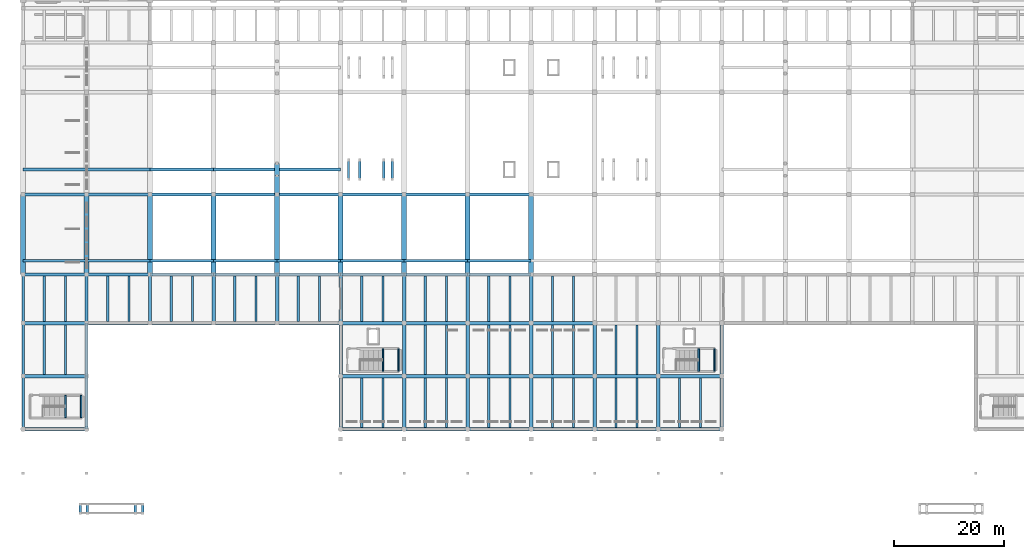
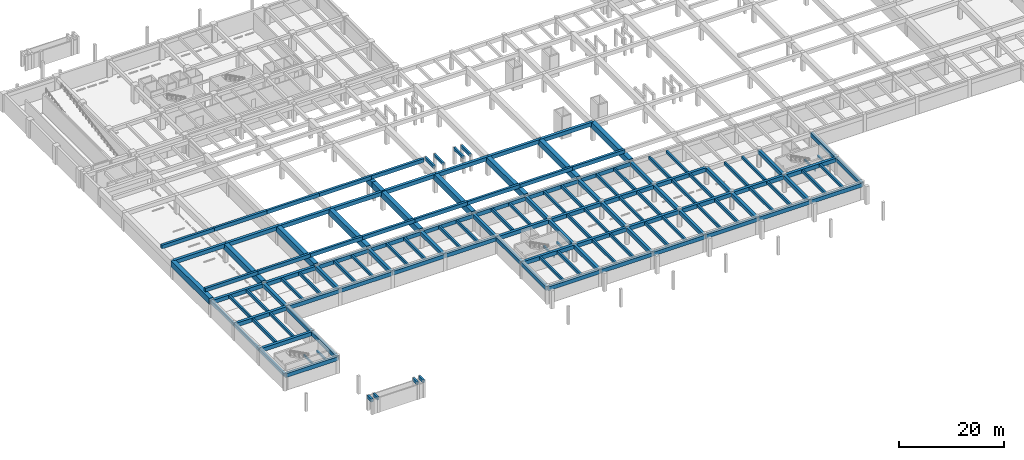
# One storey, part 4 of 20: 144 beams.
"""IFC4 building model written with IfcOpenShell, lengths in metres."""

from ifc_helpers import new_model, si_unit, direction, frame, origin, origin_2d, place, context, subcontext, project, spatial, rectangle, extrude, material, material_profile, profile_set, type_object, element, save


model = new_model("IFC4")

# Units and contexts
model_context = context("Model", 3, precision=1e-05, world=origin(), true_north=direction((0.0, 1.0)))
body_context = subcontext(model_context, "Body", "Model", "MODEL_VIEW")
ifc_project = project(units=[si_unit("LENGTHUNIT", "METRE"), si_unit("AREAUNIT", "SQUARE_METRE"), si_unit("VOLUMEUNIT", "CUBIC_METRE"), si_unit("PLANEANGLEUNIT", "RADIAN"), si_unit("MASSUNIT", "GRAM", prefix="KILO")], contexts=[model_context])

# Site, building, storey
site_placement = place(None, origin())
site = spatial("IfcSite", under=ifc_project, at=site_placement, CompositionType="ELEMENT")
building_placement = place(site_placement, origin())
building = spatial("IfcBuilding", under=site, at=building_placement, Name="Ologun Quay Terminus", CompositionType="ELEMENT")
storey_placement = place(building_placement, frame((0.0, 0.0, -4.199951171875)))
storey = spatial("IfcBuildingStorey", under=building, at=storey_placement, Name="B01", CompositionType="ELEMENT", Elevation=-4.199951171875)

# Beams
ifc_material_1 = material(Name="Concrete C40/50", Category="concrete")
ifc_material_profile_1 = material_profile(ifc_material_1, rectangle(XDim=0.300048828125, YDim=0.449951171875, at=origin_2d()), Name="RC 300x450")
ifc_profile_set_1 = profile_set([ifc_material_profile_1], Name="Concrete C40/50")
beam_type_1 = type_object("IfcBeamType", Name="Core Coupling Lintel Beam 300x450", PredefinedType="LINTEL", material=ifc_profile_set_1)
for number, where, z_axis, x_axis, name in (
    (1, (7.68994140625, 10.080078125, 1.695068359375), (0.0, 1.0, 0.0), (-1.0, 0.0, 0.0), "LN1 Half-Landing Ledger Beam ST-S1-W B01"),
    (2, (10.510009765625, 10.080078125, 1.695068359375), (0.0, 1.0, 0.0), (-1.0, 0.0, 0.0), "LN1 Half-Landing Ledger Beam ST-S1-E B01"),
    (3, (65.139892578125, 18.47998046875, 1.695068359375), (0.0, 1.0, 0.0), (-1.0, 0.0, 0.0), "LN1 Half-Landing Ledger Beam ST-S3-W B01"),
    (4, (67.9599609375, 18.47998046875, 1.695068359375), (0.0, 1.0, 0.0), (-1.0, 0.0, 0.0), "LN1 Half-Landing Ledger Beam ST-S3-E B01"),
    (5, (122.340087890625, 18.47998046875, 1.695068359375), (0.0, 1.0, 0.0), (-1.0, 0.0, 0.0), "LN1 Half-Landing Ledger Beam ST-S4-W B01"),
    (6, (125.159912109375, 18.47998046875, 1.695068359375), (0.0, 1.0, 0.0), (-1.0, 0.0, 0.0), "LN1 Half-Landing Ledger Beam ST-S4-E B01"),
):
    element("IfcBeam", number, at=place(storey_placement, frame(where, z_axis=z_axis, x_axis=x_axis)), inside=storey, type_object=beam_type_1, Name=name, PredefinedType="LINTEL", context=body_context, shape_type="SweptSolid", body=[
        extrude(rectangle(XDim=0.300048828125, YDim=0.449951171875, at=origin_2d()), origin(), (0.0, 0.0, 1.0), 4.0400390625),
    ])
ifc_material_2 = material(Name="Concrete C45/55", Category="concrete")
ifc_material_profile_2 = material_profile(ifc_material_2, rectangle(XDim=0.89990234375, YDim=1.39990234375, at=origin_2d()), Name="RC 900x1400")
ifc_profile_set_2 = profile_set([ifc_material_profile_2], Name="Concrete C45/55")
beam_type_2 = type_object("IfcBeamType", Name="Heavy Track Deck Girder 900x1400", PredefinedType="BEAM", material=ifc_profile_set_2)
for number, where, z_axis, x_axis, name in (
    (7, (0.0, 36.0, 3.64990234375), (0.0, 1.0, 0.0), (-1.0, 0.0, 0.0), "B1 Beam 1/E B01"),
    (8, (11.5, 36.0, 3.64990234375), (0.0, 1.0, 0.0), (-1.0, 0.0, 0.0), "B1 Beam 2/E B01"),
    (9, (23.0, 36.0, 3.64990234375), (0.0, 1.0, 0.0), (-1.0, 0.0, 0.0), "B1 Beam 3/E B01"),
    (10, (34.5, 36.0, 3.64990234375), (0.0, 1.0, 0.0), (-1.0, 0.0, 0.0), "B1 Beam 4/E B01"),
    (11, (46.0, 36.0, 3.64990234375), (0.0, 1.0, 0.0), (-1.0, 0.0, 0.0), "B1 Beam 5/E B01"),
):
    element("IfcBeam", number, at=place(storey_placement, frame(where, z_axis=z_axis, x_axis=x_axis)), inside=storey, type_object=beam_type_2, Name=name, PredefinedType="BEAM", context=body_context, shape_type="SweptSolid", body=[
        extrude(rectangle(XDim=0.89990234375, YDim=1.39990234375, at=origin_2d()), origin(), (0.0, 0.0, 1.0), 14.5),
    ])
beam_1_placement = place(storey_placement, frame((46.0, 50.5, 3.64990234375), z_axis=(0.0, 1.0, 0.0), x_axis=(-1.0, 0.0, 0.0)))
element("IfcBeam", 12, at=beam_1_placement, inside=storey, type_object=beam_type_2, Name="B1 Beam 5/E B01", PredefinedType="BEAM", context=body_context, shape_type="SweptSolid", body=[
    extrude(rectangle(XDim=0.89990234375, YDim=1.39990234375, at=origin_2d()), origin(), (0.0, 0.0, 1.0), 3.39990234375),
])
beam_2_placement = place(storey_placement, frame((46.0, 53.89990234375, 3.64990234375), z_axis=(0.0, 1.0, 0.0), x_axis=(-1.0, 0.0, 0.0)))
element("IfcBeam", 13, at=beam_2_placement, inside=storey, type_object=beam_type_2, Name="B1 Beam 5/E B01", PredefinedType="BEAM", context=body_context, shape_type="SweptSolid", body=[
    extrude(rectangle(XDim=0.89990234375, YDim=1.39990234375, at=origin_2d()), origin(), (0.0, 0.0, 1.0), 2.2001953125),
])
for number, where, z_axis, x_axis, name in (
    (14, (57.5, 36.0, 3.64990234375), (0.0, 1.0, 0.0), (-1.0, 0.0, 0.0), "B1 Beam 6/E B01"),
    (15, (69.0, 36.0, 3.64990234375), (0.0, 1.0, 0.0), (-1.0, 0.0, 0.0), "B1 Beam 7/E B01"),
    (16, (80.5, 36.0, 3.64990234375), (0.0, 1.0, 0.0), (-1.0, 0.0, 0.0), "B1 Beam 8/E B01"),
    (17, (92.0, 36.0, 3.64990234375), (0.0, 1.0, 0.0), (-1.0, 0.0, 0.0), "B1 Beam 9/E B01"),
):
    element("IfcBeam", number, at=place(storey_placement, frame(where, z_axis=z_axis, x_axis=x_axis)), inside=storey, type_object=beam_type_2, Name=name, PredefinedType="BEAM", context=body_context, shape_type="SweptSolid", body=[
        extrude(rectangle(XDim=0.89990234375, YDim=1.39990234375, at=origin_2d()), origin(), (0.0, 0.0, 1.0), 14.5),
    ])
ifc_material_3 = material(Name="Concrete C40/50", Category="concrete")
ifc_material_profile_3 = material_profile(ifc_material_3, rectangle(XDim=0.449951171875, YDim=0.699951171875, at=origin_2d()), Name="RC 450x700")
ifc_profile_set_3 = profile_set([ifc_material_profile_3], Name="Concrete C40/50")
beam_type_3 = type_object("IfcBeamType", Name="Perimeter Spandrel Beam 450x700", PredefinedType="SPANDREL", material=ifc_profile_set_3)
for number, where, z_axis, x_axis, name in (
    (18, (10.35009765625, -7.199951171875, 3.1298828125), (0.0, 1.0, 0.0), (-1.0, 0.0, 0.0), "SP1 Ramp Header Beam 5W"),
    (19, (11.64990234375, -7.199951171875, 3.1298828125), (0.0, 1.0, 0.0), (-1.0, 0.0, 0.0), "SP1 Ramp Header Beam 5E"),
    (20, (20.35009765625, -7.199951171875, 3.6298828125), (0.0, 1.0, 0.0), (-1.0, 0.0, 0.0), "SP1 Ramp Header Beam 6W"),
    (21, (21.64990234375, -7.199951171875, 3.6298828125), (0.0, 1.0, 0.0), (-1.0, 0.0, 0.0), "SP1 Ramp Header Beam 6E"),
):
    element("IfcBeam", number, at=place(storey_placement, frame(where, z_axis=z_axis, x_axis=x_axis)), inside=storey, type_object=beam_type_3, Name=name, PredefinedType="SPANDREL", context=body_context, shape_type="SweptSolid", body=[
        extrude(rectangle(XDim=0.449951171875, YDim=0.699951171875, at=origin_2d()), origin(), (0.0, 0.0, 1.0), 1.599853515625),
    ])
beam_3_placement = place(storey_placement, frame((0.0, 8.0, 3.530029296875), z_axis=(0.0, 1.0, 0.0), x_axis=(-1.0, 0.0, 0.0)))
element("IfcBeam", 22, at=beam_3_placement, inside=storey, type_object=beam_type_3, Name="SP1 Beam 1/B B01", PredefinedType="SPANDREL", context=body_context, shape_type="SweptSolid", body=[
    extrude(rectangle(XDim=0.449951171875, YDim=0.699951171875, at=origin_2d()), origin(), (0.0, 0.0, 1.0), 9.60009765625),
])
beam_4_placement = place(storey_placement, frame((0.0, 17.60009765625, 3.530029296875), z_axis=(0.0, 1.0, 0.0), x_axis=(-1.0, 0.0, 0.0)))
element("IfcBeam", 23, at=beam_4_placement, inside=storey, type_object=beam_type_3, Name="SP1 Beam 1/C B01", PredefinedType="SPANDREL", context=body_context, shape_type="SweptSolid", body=[
    extrude(rectangle(XDim=0.449951171875, YDim=0.699951171875, at=origin_2d()), origin(), (0.0, 0.0, 1.0), 9.599853515625),
])
beam_5_placement = place(storey_placement, frame((0.0, 27.199951171875, 3.530029296875), z_axis=(0.0, 1.0, 0.0), x_axis=(-1.0, 0.0, 0.0)))
element("IfcBeam", 24, at=beam_5_placement, inside=storey, type_object=beam_type_3, Name="SP1 Beam 1/D B01", PredefinedType="SPANDREL", context=body_context, shape_type="SweptSolid", body=[
    extrude(rectangle(XDim=0.449951171875, YDim=0.699951171875, at=origin_2d()), origin(), (0.0, 0.0, 1.0), 8.800048828125),
])
ifc_material_4 = material(Name="Concrete C40/50", Category="concrete")
ifc_material_profile_4 = material_profile(ifc_material_4, rectangle(XDim=0.5, YDim=0.85009765625, at=origin_2d()), Name="RC 500x850")
ifc_profile_set_4 = profile_set([ifc_material_profile_4], Name="Concrete C40/50")
beam_type_4 = type_object("IfcBeamType", Name="Platform Ribbed T-Beam 500x850", PredefinedType="T_BEAM", material=ifc_profile_set_4)
for number, where, z_axis, x_axis, name in (
    (25, (0.0, 38.5, 4.724853515625), (1.0, 0.0, 0.0), (0.0, 1.0, 0.0), "TB1 Beam 1/E B01"),
    (26, (0.0, 55.0, 4.724853515625), (1.0, 0.0, 0.0), (0.0, 1.0, 0.0), "TB1 Beam 1/E B01"),
    (27, (11.5, 38.5, 4.724853515625), (1.0, 0.0, 0.0), (0.0, 1.0, 0.0), "TB1 Beam 2/E B01"),
    (28, (11.5, 55.0, 4.724853515625), (1.0, 0.0, 0.0), (0.0, 1.0, 0.0), "TB1 Beam 2/E B01"),
    (29, (23.0, 38.5, 4.724853515625), (1.0, 0.0, 0.0), (0.0, 1.0, 0.0), "TB1 Beam 3/E B01"),
    (30, (23.0, 55.0, 4.724853515625), (1.0, 0.0, 0.0), (0.0, 1.0, 0.0), "TB1 Beam 3/E B01"),
    (31, (34.5, 38.5, 4.724853515625), (1.0, 0.0, 0.0), (0.0, 1.0, 0.0), "TB1 Beam 4/E B01"),
    (32, (34.5, 55.0, 4.724853515625), (1.0, 0.0, 0.0), (0.0, 1.0, 0.0), "TB1 Beam 4/E B01"),
    (33, (46.0, 38.5, 4.724853515625), (1.0, 0.0, 0.0), (0.0, 1.0, 0.0), "TB1 Beam 5/E B01"),
    (34, (46.0, 55.0, 4.724853515625), (1.0, 0.0, 0.0), (0.0, 1.0, 0.0), "TB1 Beam 5/E B01"),
    (35, (57.5, 38.5, 4.724853515625), (1.0, 0.0, 0.0), (0.0, 1.0, 0.0), "TB1 Beam 6/E B01"),
    (36, (69.0, 38.5, 4.724853515625), (1.0, 0.0, 0.0), (0.0, 1.0, 0.0), "TB1 Beam 7/E B01"),
    (37, (80.5, 38.5, 4.724853515625), (1.0, 0.0, 0.0), (0.0, 1.0, 0.0), "TB1 Beam 8/E B01"),
):
    element("IfcBeam", number, at=place(storey_placement, frame(where, z_axis=z_axis, x_axis=x_axis)), inside=storey, type_object=beam_type_4, Name=name, PredefinedType="T_BEAM", context=body_context, shape_type="SweptSolid", body=[
        extrude(rectangle(XDim=0.5, YDim=0.85009765625, at=origin_2d()), origin(), (0.0, 0.0, 1.0), 11.5),
    ])
ifc_material_5 = material(Name="Concrete C40/50", Category="concrete")
ifc_material_profile_5 = material_profile(ifc_material_5, rectangle(XDim=0.60009765625, YDim=0.89990234375, at=origin_2d()), Name="RC 600x900")
ifc_profile_set_5 = profile_set([ifc_material_profile_5], Name="Concrete C40/50")
beam_type_5 = type_object("IfcBeamType", Name="Station Frame Girder 600x900", PredefinedType="BEAM", material=ifc_profile_set_5)
for number, where, z_axis, x_axis, name in (
    (38, (0.0, 8.0, 3.429931640625), (1.0, 0.0, 0.0), (0.0, 1.0, 0.0), "B3 Beam 1/B B01"),
    (39, (57.5, 8.0, 3.429931640625), (1.0, 0.0, 0.0), (0.0, 1.0, 0.0), "B3 Beam 6/B B01"),
    (40, (69.0, 8.0, 3.429931640625), (1.0, 0.0, 0.0), (0.0, 1.0, 0.0), "B3 Beam 7/B B01"),
    (41, (80.5, 8.0, 3.429931640625), (1.0, 0.0, 0.0), (0.0, 1.0, 0.0), "B3 Beam 8/B B01"),
    (42, (92.0, 8.0, 3.429931640625), (1.0, 0.0, 0.0), (0.0, 1.0, 0.0), "B3 Beam 9/B B01"),
    (43, (103.5, 8.0, 3.429931640625), (1.0, 0.0, 0.0), (0.0, 1.0, 0.0), "B3 Beam 10/B B01"),
    (44, (115.0, 8.0, 3.429931640625), (1.0, 0.0, 0.0), (0.0, 1.0, 0.0), "B3 Beam 11/B B01"),
    (45, (0.0, 17.60009765625, 3.429931640625), (1.0, 0.0, 0.0), (0.0, 1.0, 0.0), "B3 Beam 1/C B01"),
    (46, (57.5, 17.60009765625, 3.429931640625), (1.0, 0.0, 0.0), (0.0, 1.0, 0.0), "B3 Beam 6/C B01"),
    (47, (69.0, 17.60009765625, 3.429931640625), (1.0, 0.0, 0.0), (0.0, 1.0, 0.0), "B3 Beam 7/C B01"),
    (48, (80.5, 17.60009765625, 3.429931640625), (1.0, 0.0, 0.0), (0.0, 1.0, 0.0), "B3 Beam 8/C B01"),
    (49, (92.0, 17.60009765625, 3.429931640625), (1.0, 0.0, 0.0), (0.0, 1.0, 0.0), "B3 Beam 9/C B01"),
    (50, (103.5, 17.60009765625, 3.429931640625), (1.0, 0.0, 0.0), (0.0, 1.0, 0.0), "B3 Beam 10/C B01"),
    (51, (115.0, 17.60009765625, 3.429931640625), (1.0, 0.0, 0.0), (0.0, 1.0, 0.0), "B3 Beam 11/C B01"),
    (52, (0.0, 27.199951171875, 3.429931640625), (1.0, 0.0, 0.0), (0.0, 1.0, 0.0), "B3 Beam 1/D B01"),
    (53, (11.5, 27.199951171875, 3.429931640625), (1.0, 0.0, 0.0), (0.0, 1.0, 0.0), "B3 Beam 2/D B01"),
    (54, (23.0, 27.199951171875, 3.429931640625), (1.0, 0.0, 0.0), (0.0, 1.0, 0.0), "B3 Beam 3/D B01"),
    (55, (34.5, 27.199951171875, 3.429931640625), (1.0, 0.0, 0.0), (0.0, 1.0, 0.0), "B3 Beam 4/D B01"),
    (56, (46.0, 27.199951171875, 3.429931640625), (1.0, 0.0, 0.0), (0.0, 1.0, 0.0), "B3 Beam 5/D B01"),
    (57, (57.5, 27.199951171875, 3.429931640625), (1.0, 0.0, 0.0), (0.0, 1.0, 0.0), "B3 Beam 6/D B01"),
    (58, (69.0, 27.199951171875, 3.429931640625), (1.0, 0.0, 0.0), (0.0, 1.0, 0.0), "B3 Beam 7/D B01"),
    (59, (80.5, 27.199951171875, 3.429931640625), (1.0, 0.0, 0.0), (0.0, 1.0, 0.0), "B3 Beam 8/D B01"),
    (60, (92.0, 27.199951171875, 3.429931640625), (1.0, 0.0, 0.0), (0.0, 1.0, 0.0), "B3 Beam 9/D B01"),
    (61, (0.0, 36.0, 3.429931640625), (1.0, 0.0, 0.0), (0.0, 1.0, 0.0), "B3 Beam 1/E B01"),
    (62, (11.5, 36.0, 3.429931640625), (1.0, 0.0, 0.0), (0.0, 1.0, 0.0), "B3 Beam 2/E B01"),
    (63, (23.0, 36.0, 3.429931640625), (1.0, 0.0, 0.0), (0.0, 1.0, 0.0), "B3 Beam 3/E B01"),
    (64, (34.5, 36.0, 3.429931640625), (1.0, 0.0, 0.0), (0.0, 1.0, 0.0), "B3 Beam 4/E B01"),
    (65, (46.0, 36.0, 3.429931640625), (1.0, 0.0, 0.0), (0.0, 1.0, 0.0), "B3 Beam 5/E B01"),
    (66, (57.5, 36.0, 3.429931640625), (1.0, 0.0, 0.0), (0.0, 1.0, 0.0), "B3 Beam 6/E B01"),
    (67, (69.0, 36.0, 3.429931640625), (1.0, 0.0, 0.0), (0.0, 1.0, 0.0), "B3 Beam 7/E B01"),
    (68, (80.5, 36.0, 3.429931640625), (1.0, 0.0, 0.0), (0.0, 1.0, 0.0), "B3 Beam 8/E B01"),
    (69, (0.0, 50.5, 3.89990234375), (1.0, 0.0, 0.0), (0.0, 1.0, 0.0), "B3 Beam 1/E B01"),
    (70, (11.5, 50.5, 3.89990234375), (1.0, 0.0, 0.0), (0.0, 1.0, 0.0), "B3 Beam 2/E B01"),
    (71, (23.0, 50.5, 3.89990234375), (1.0, 0.0, 0.0), (0.0, 1.0, 0.0), "B3 Beam 3/E B01"),
    (72, (34.5, 50.5, 3.89990234375), (1.0, 0.0, 0.0), (0.0, 1.0, 0.0), "B3 Beam 4/E B01"),
    (73, (46.0, 50.5, 3.89990234375), (1.0, 0.0, 0.0), (0.0, 1.0, 0.0), "B3 Beam 5/E B01"),
    (74, (57.5, 50.5, 3.89990234375), (1.0, 0.0, 0.0), (0.0, 1.0, 0.0), "B3 Beam 6/E B01"),
    (75, (69.0, 50.5, 3.89990234375), (1.0, 0.0, 0.0), (0.0, 1.0, 0.0), "B3 Beam 7/E B01"),
    (76, (80.5, 50.5, 3.89990234375), (1.0, 0.0, 0.0), (0.0, 1.0, 0.0), "B3 Beam 8/E B01"),
):
    element("IfcBeam", number, at=place(storey_placement, frame(where, z_axis=z_axis, x_axis=x_axis)), inside=storey, type_object=beam_type_5, Name=name, PredefinedType="BEAM", context=body_context, shape_type="SweptSolid", body=[
        extrude(rectangle(XDim=0.60009765625, YDim=0.89990234375, at=origin_2d()), origin(), (0.0, 0.0, 1.0), 11.5),
    ])
beam_6_placement = place(storey_placement, frame((11.5, 8.0, 3.429931640625), z_axis=(0.0, 1.0, 0.0), x_axis=(-1.0, 0.0, 0.0)))
element("IfcBeam", 77, at=beam_6_placement, inside=storey, type_object=beam_type_5, Name="B3 Beam 2/B B01", PredefinedType="BEAM", context=body_context, shape_type="SweptSolid", body=[
    extrude(rectangle(XDim=0.60009765625, YDim=0.89990234375, at=origin_2d()), origin(), (0.0, 0.0, 1.0), 9.60009765625),
])
beam_7_placement = place(storey_placement, frame((11.5, 17.60009765625, 3.429931640625), z_axis=(0.0, 1.0, 0.0), x_axis=(-1.0, 0.0, 0.0)))
element("IfcBeam", 78, at=beam_7_placement, inside=storey, type_object=beam_type_5, Name="B3 Beam 2/C B01", PredefinedType="BEAM", context=body_context, shape_type="SweptSolid", body=[
    extrude(rectangle(XDim=0.60009765625, YDim=0.89990234375, at=origin_2d()), origin(), (0.0, 0.0, 1.0), 9.599853515625),
])
for number, where, z_axis, x_axis, name in (
    (79, (11.5, 27.199951171875, 3.429931640625), (0.0, 1.0, 0.0), (-1.0, 0.0, 0.0), "B3 Beam 2/D B01"),
    (80, (23.0, 27.199951171875, 3.429931640625), (0.0, 1.0, 0.0), (-1.0, 0.0, 0.0), "B3 Beam 3/D B01"),
    (81, (34.5, 27.199951171875, 3.429931640625), (0.0, 1.0, 0.0), (-1.0, 0.0, 0.0), "B3 Beam 4/D B01"),
    (82, (46.0, 27.199951171875, 3.429931640625), (0.0, 1.0, 0.0), (-1.0, 0.0, 0.0), "B3 Beam 5/D B01"),
):
    element("IfcBeam", number, at=place(storey_placement, frame(where, z_axis=z_axis, x_axis=x_axis)), inside=storey, type_object=beam_type_5, Name=name, PredefinedType="BEAM", context=body_context, shape_type="SweptSolid", body=[
        extrude(rectangle(XDim=0.60009765625, YDim=0.89990234375, at=origin_2d()), origin(), (0.0, 0.0, 1.0), 8.800048828125),
    ])
beam_8_placement = place(storey_placement, frame((57.5, 8.0, 3.429931640625), z_axis=(0.0, 1.0, 0.0), x_axis=(-1.0, 0.0, 0.0)))
element("IfcBeam", 83, at=beam_8_placement, inside=storey, type_object=beam_type_5, Name="B3 Beam 6/B B01", PredefinedType="BEAM", context=body_context, shape_type="SweptSolid", body=[
    extrude(rectangle(XDim=0.60009765625, YDim=0.89990234375, at=origin_2d()), origin(), (0.0, 0.0, 1.0), 9.60009765625),
])
beam_9_placement = place(storey_placement, frame((57.5, 17.60009765625, 3.429931640625), z_axis=(0.0, 1.0, 0.0), x_axis=(-1.0, 0.0, 0.0)))
element("IfcBeam", 84, at=beam_9_placement, inside=storey, type_object=beam_type_5, Name="B3 Beam 6/C B01", PredefinedType="BEAM", context=body_context, shape_type="SweptSolid", body=[
    extrude(rectangle(XDim=0.60009765625, YDim=0.89990234375, at=origin_2d()), origin(), (0.0, 0.0, 1.0), 9.599853515625),
])
beam_10_placement = place(storey_placement, frame((57.5, 27.199951171875, 3.429931640625), z_axis=(0.0, 1.0, 0.0), x_axis=(-1.0, 0.0, 0.0)))
element("IfcBeam", 85, at=beam_10_placement, inside=storey, type_object=beam_type_5, Name="B3 Beam 6/D B01", PredefinedType="BEAM", context=body_context, shape_type="SweptSolid", body=[
    extrude(rectangle(XDim=0.60009765625, YDim=0.89990234375, at=origin_2d()), origin(), (0.0, 0.0, 1.0), 8.800048828125),
])
beam_11_placement = place(storey_placement, frame((69.0, 8.0, 3.429931640625), z_axis=(0.0, 1.0, 0.0), x_axis=(-1.0, 0.0, 0.0)))
element("IfcBeam", 86, at=beam_11_placement, inside=storey, type_object=beam_type_5, Name="B3 Beam 7/B B01", PredefinedType="BEAM", context=body_context, shape_type="SweptSolid", body=[
    extrude(rectangle(XDim=0.60009765625, YDim=0.89990234375, at=origin_2d()), origin(), (0.0, 0.0, 1.0), 9.60009765625),
])
beam_12_placement = place(storey_placement, frame((69.0, 17.60009765625, 3.429931640625), z_axis=(0.0, 1.0, 0.0), x_axis=(-1.0, 0.0, 0.0)))
element("IfcBeam", 87, at=beam_12_placement, inside=storey, type_object=beam_type_5, Name="B3 Beam 7/C B01", PredefinedType="BEAM", context=body_context, shape_type="SweptSolid", body=[
    extrude(rectangle(XDim=0.60009765625, YDim=0.89990234375, at=origin_2d()), origin(), (0.0, 0.0, 1.0), 9.599853515625),
])
beam_13_placement = place(storey_placement, frame((69.0, 27.199951171875, 3.429931640625), z_axis=(0.0, 1.0, 0.0), x_axis=(-1.0, 0.0, 0.0)))
element("IfcBeam", 88, at=beam_13_placement, inside=storey, type_object=beam_type_5, Name="B3 Beam 7/D B01", PredefinedType="BEAM", context=body_context, shape_type="SweptSolid", body=[
    extrude(rectangle(XDim=0.60009765625, YDim=0.89990234375, at=origin_2d()), origin(), (0.0, 0.0, 1.0), 8.800048828125),
])
beam_14_placement = place(storey_placement, frame((80.5, 8.0, 3.429931640625), z_axis=(0.0, 1.0, 0.0), x_axis=(-1.0, 0.0, 0.0)))
element("IfcBeam", 89, at=beam_14_placement, inside=storey, type_object=beam_type_5, Name="B3 Beam 8/B B01", PredefinedType="BEAM", context=body_context, shape_type="SweptSolid", body=[
    extrude(rectangle(XDim=0.60009765625, YDim=0.89990234375, at=origin_2d()), origin(), (0.0, 0.0, 1.0), 9.60009765625),
])
beam_15_placement = place(storey_placement, frame((80.5, 17.60009765625, 3.429931640625), z_axis=(0.0, 1.0, 0.0), x_axis=(-1.0, 0.0, 0.0)))
element("IfcBeam", 90, at=beam_15_placement, inside=storey, type_object=beam_type_5, Name="B3 Beam 8/C B01", PredefinedType="BEAM", context=body_context, shape_type="SweptSolid", body=[
    extrude(rectangle(XDim=0.60009765625, YDim=0.89990234375, at=origin_2d()), origin(), (0.0, 0.0, 1.0), 9.599853515625),
])
beam_16_placement = place(storey_placement, frame((80.5, 27.199951171875, 3.429931640625), z_axis=(0.0, 1.0, 0.0), x_axis=(-1.0, 0.0, 0.0)))
element("IfcBeam", 91, at=beam_16_placement, inside=storey, type_object=beam_type_5, Name="B3 Beam 8/D B01", PredefinedType="BEAM", context=body_context, shape_type="SweptSolid", body=[
    extrude(rectangle(XDim=0.60009765625, YDim=0.89990234375, at=origin_2d()), origin(), (0.0, 0.0, 1.0), 8.800048828125),
])
beam_17_placement = place(storey_placement, frame((92.0, 8.0, 3.429931640625), z_axis=(0.0, 1.0, 0.0), x_axis=(-1.0, 0.0, 0.0)))
element("IfcBeam", 92, at=beam_17_placement, inside=storey, type_object=beam_type_5, Name="B3 Beam 9/B B01", PredefinedType="BEAM", context=body_context, shape_type="SweptSolid", body=[
    extrude(rectangle(XDim=0.60009765625, YDim=0.89990234375, at=origin_2d()), origin(), (0.0, 0.0, 1.0), 9.60009765625),
])
beam_18_placement = place(storey_placement, frame((92.0, 17.60009765625, 3.429931640625), z_axis=(0.0, 1.0, 0.0), x_axis=(-1.0, 0.0, 0.0)))
element("IfcBeam", 93, at=beam_18_placement, inside=storey, type_object=beam_type_5, Name="B3 Beam 9/C B01", PredefinedType="BEAM", context=body_context, shape_type="SweptSolid", body=[
    extrude(rectangle(XDim=0.60009765625, YDim=0.89990234375, at=origin_2d()), origin(), (0.0, 0.0, 1.0), 9.599853515625),
])
beam_19_placement = place(storey_placement, frame((92.0, 27.199951171875, 3.429931640625), z_axis=(0.0, 1.0, 0.0), x_axis=(-1.0, 0.0, 0.0)))
element("IfcBeam", 94, at=beam_19_placement, inside=storey, type_object=beam_type_5, Name="B3 Beam 9/D B01", PredefinedType="BEAM", context=body_context, shape_type="SweptSolid", body=[
    extrude(rectangle(XDim=0.60009765625, YDim=0.89990234375, at=origin_2d()), origin(), (0.0, 0.0, 1.0), 8.800048828125),
])
beam_20_placement = place(storey_placement, frame((103.5, 8.0, 3.429931640625), z_axis=(0.0, 1.0, 0.0), x_axis=(-1.0, 0.0, 0.0)))
element("IfcBeam", 95, at=beam_20_placement, inside=storey, type_object=beam_type_5, Name="B3 Beam 10/B B01", PredefinedType="BEAM", context=body_context, shape_type="SweptSolid", body=[
    extrude(rectangle(XDim=0.60009765625, YDim=0.89990234375, at=origin_2d()), origin(), (0.0, 0.0, 1.0), 9.60009765625),
])
beam_21_placement = place(storey_placement, frame((103.5, 17.60009765625, 3.429931640625), z_axis=(0.0, 1.0, 0.0), x_axis=(-1.0, 0.0, 0.0)))
element("IfcBeam", 96, at=beam_21_placement, inside=storey, type_object=beam_type_5, Name="B3 Beam 10/C B01", PredefinedType="BEAM", context=body_context, shape_type="SweptSolid", body=[
    extrude(rectangle(XDim=0.60009765625, YDim=0.89990234375, at=origin_2d()), origin(), (0.0, 0.0, 1.0), 9.599853515625),
])
beam_22_placement = place(storey_placement, frame((115.0, 8.0, 3.429931640625), z_axis=(0.0, 1.0, 0.0), x_axis=(-1.0, 0.0, 0.0)))
element("IfcBeam", 97, at=beam_22_placement, inside=storey, type_object=beam_type_5, Name="B3 Beam 11/B B01", PredefinedType="BEAM", context=body_context, shape_type="SweptSolid", body=[
    extrude(rectangle(XDim=0.60009765625, YDim=0.89990234375, at=origin_2d()), origin(), (0.0, 0.0, 1.0), 9.60009765625),
])
beam_23_placement = place(storey_placement, frame((115.0, 17.60009765625, 3.429931640625), z_axis=(0.0, 1.0, 0.0), x_axis=(-1.0, 0.0, 0.0)))
element("IfcBeam", 98, at=beam_23_placement, inside=storey, type_object=beam_type_5, Name="B3 Beam 11/C B01", PredefinedType="BEAM", context=body_context, shape_type="SweptSolid", body=[
    extrude(rectangle(XDim=0.60009765625, YDim=0.89990234375, at=origin_2d()), origin(), (0.0, 0.0, 1.0), 9.599853515625),
])
beam_24_placement = place(storey_placement, frame((126.5, 8.0, 3.429931640625), z_axis=(0.0, 1.0, 0.0), x_axis=(-1.0, 0.0, 0.0)))
element("IfcBeam", 99, at=beam_24_placement, inside=storey, type_object=beam_type_5, Name="B3 Beam 12/B B01", PredefinedType="BEAM", context=body_context, shape_type="SweptSolid", body=[
    extrude(rectangle(XDim=0.60009765625, YDim=0.89990234375, at=origin_2d()), origin(), (0.0, 0.0, 1.0), 9.60009765625),
])
beam_25_placement = place(storey_placement, frame((126.5, 17.60009765625, 3.429931640625), z_axis=(0.0, 1.0, 0.0), x_axis=(-1.0, 0.0, 0.0)))
element("IfcBeam", 100, at=beam_25_placement, inside=storey, type_object=beam_type_5, Name="B3 Beam 12/C B01", PredefinedType="BEAM", context=body_context, shape_type="SweptSolid", body=[
    extrude(rectangle(XDim=0.60009765625, YDim=0.89990234375, at=origin_2d()), origin(), (0.0, 0.0, 1.0), 9.599853515625),
])
ifc_material_6 = material(Name="Concrete C40/50", Category="concrete")
ifc_material_profile_6 = material_profile(ifc_material_6, rectangle(XDim=0.39990234375, YDim=0.64990234375, at=origin_2d()), Name="RC 400x650")
ifc_profile_set_6 = profile_set([ifc_material_profile_6], Name="Concrete C40/50")
beam_type_6 = type_object("IfcBeamType", Name="Station Secondary Joist 400x650", PredefinedType="JOIST", material=ifc_profile_set_6)
for number, where, z_axis, x_axis, name in (
    (101, (58.949951171875, 53.25, 3.554931640625), (0.0, 1.0, 0.0), (-1.0, 0.0, 0.0), "J1 Beam 6/E B01"),
    (102, (60.949951171875, 53.25, 3.554931640625), (0.0, 1.0, 0.0), (-1.0, 0.0, 0.0), "J1 Beam 6/E B01"),
    (103, (65.300048828125, 53.25, 3.554931640625), (0.0, 1.0, 0.0), (-1.0, 0.0, 0.0), "J1 Beam 6/E B01"),
    (104, (66.85009765625, 53.25, 3.554931640625), (0.0, 1.0, 0.0), (-1.0, 0.0, 0.0), "J1 Beam 6/E B01"),
):
    element("IfcBeam", number, at=place(storey_placement, frame(where, z_axis=z_axis, x_axis=x_axis)), inside=storey, type_object=beam_type_6, Name=name, PredefinedType="JOIST", context=body_context, shape_type="SweptSolid", body=[
        extrude(rectangle(XDim=0.39990234375, YDim=0.64990234375, at=origin_2d()), origin(), (0.0, 0.0, 1.0), 3.5),
    ])
for number, where, z_axis, x_axis, name in (
    (105, (3.833251953125, 17.89990234375, 3.554931640625), (0.0, 1.0, 0.0), (-1.0, 0.0, 0.0), "J1 Beam 1/C B01"),
    (106, (7.666748046875, 17.89990234375, 3.554931640625), (0.0, 1.0, 0.0), (-1.0, 0.0, 0.0), "J1 Beam 1/C B01"),
):
    element("IfcBeam", number, at=place(storey_placement, frame(where, z_axis=z_axis, x_axis=x_axis)), inside=storey, type_object=beam_type_6, Name=name, PredefinedType="JOIST", context=body_context, shape_type="SweptSolid", body=[
        extrude(rectangle(XDim=0.39990234375, YDim=0.64990234375, at=origin_2d()), origin(), (0.0, 0.0, 1.0), 9.0),
    ])
for number, where, z_axis, x_axis, name in (
    (107, (3.833251953125, 27.5, 3.554931640625), (0.0, 1.0, 0.0), (-1.0, 0.0, 0.0), "J1 Beam 1/D B01"),
    (108, (7.666748046875, 27.5, 3.554931640625), (0.0, 1.0, 0.0), (-1.0, 0.0, 0.0), "J1 Beam 1/D B01"),
    (109, (15.333251953125, 27.5, 3.554931640625), (0.0, 1.0, 0.0), (-1.0, 0.0, 0.0), "J1 Beam 2/D B01"),
    (110, (19.166748046875, 27.5, 3.554931640625), (0.0, 1.0, 0.0), (-1.0, 0.0, 0.0), "J1 Beam 2/D B01"),
    (111, (26.833251953125, 27.5, 3.554931640625), (0.0, 1.0, 0.0), (-1.0, 0.0, 0.0), "J1 Beam 3/D B01"),
    (112, (30.666748046875, 27.5, 3.554931640625), (0.0, 1.0, 0.0), (-1.0, 0.0, 0.0), "J1 Beam 3/D B01"),
    (113, (38.333251953125, 27.5, 3.554931640625), (0.0, 1.0, 0.0), (-1.0, 0.0, 0.0), "J1 Beam 4/D B01"),
    (114, (42.166748046875, 27.5, 3.554931640625), (0.0, 1.0, 0.0), (-1.0, 0.0, 0.0), "J1 Beam 4/D B01"),
    (115, (49.833251953125, 27.5, 3.554931640625), (0.0, 1.0, 0.0), (-1.0, 0.0, 0.0), "J1 Beam 5/D B01"),
    (116, (53.666748046875, 27.5, 3.554931640625), (0.0, 1.0, 0.0), (-1.0, 0.0, 0.0), "J1 Beam 5/D B01"),
):
    element("IfcBeam", number, at=place(storey_placement, frame(where, z_axis=z_axis, x_axis=x_axis)), inside=storey, type_object=beam_type_6, Name=name, PredefinedType="JOIST", context=body_context, shape_type="SweptSolid", body=[
        extrude(rectangle(XDim=0.39990234375, YDim=0.64990234375, at=origin_2d()), origin(), (0.0, 0.0, 1.0), 8.199951171875),
    ])
for number, where, z_axis, x_axis, name in (
    (117, (61.333251953125, 8.300048828125, 3.554931640625), (0.0, 1.0, 0.0), (-1.0, 0.0, 0.0), "J1 Beam 6/B B01"),
    (118, (65.166748046875, 8.300048828125, 3.554931640625), (0.0, 1.0, 0.0), (-1.0, 0.0, 0.0), "J1 Beam 6/B B01"),
):
    element("IfcBeam", number, at=place(storey_placement, frame(where, z_axis=z_axis, x_axis=x_axis)), inside=storey, type_object=beam_type_6, Name=name, PredefinedType="JOIST", context=body_context, shape_type="SweptSolid", body=[
        extrude(rectangle(XDim=0.39990234375, YDim=0.64990234375, at=origin_2d()), origin(), (0.0, 0.0, 1.0), 9.0),
    ])
for number, where, z_axis, x_axis, name in (
    (119, (61.333251953125, 27.5, 3.554931640625), (0.0, 1.0, 0.0), (-1.0, 0.0, 0.0), "J1 Beam 6/D B01"),
    (120, (65.166748046875, 27.5, 3.554931640625), (0.0, 1.0, 0.0), (-1.0, 0.0, 0.0), "J1 Beam 6/D B01"),
):
    element("IfcBeam", number, at=place(storey_placement, frame(where, z_axis=z_axis, x_axis=x_axis)), inside=storey, type_object=beam_type_6, Name=name, PredefinedType="JOIST", context=body_context, shape_type="SweptSolid", body=[
        extrude(rectangle(XDim=0.39990234375, YDim=0.64990234375, at=origin_2d()), origin(), (0.0, 0.0, 1.0), 8.199951171875),
    ])
for number, where, z_axis, x_axis, name in (
    (121, (72.833251953125, 8.300048828125, 3.554931640625), (0.0, 1.0, 0.0), (-1.0, 0.0, 0.0), "J1 Beam 7/B B01"),
    (122, (76.666748046875, 8.300048828125, 3.554931640625), (0.0, 1.0, 0.0), (-1.0, 0.0, 0.0), "J1 Beam 7/B B01"),
    (123, (72.833251953125, 17.89990234375, 3.554931640625), (0.0, 1.0, 0.0), (-1.0, 0.0, 0.0), "J1 Beam 7/C B01"),
    (124, (76.666748046875, 17.89990234375, 3.554931640625), (0.0, 1.0, 0.0), (-1.0, 0.0, 0.0), "J1 Beam 7/C B01"),
):
    element("IfcBeam", number, at=place(storey_placement, frame(where, z_axis=z_axis, x_axis=x_axis)), inside=storey, type_object=beam_type_6, Name=name, PredefinedType="JOIST", context=body_context, shape_type="SweptSolid", body=[
        extrude(rectangle(XDim=0.39990234375, YDim=0.64990234375, at=origin_2d()), origin(), (0.0, 0.0, 1.0), 9.0),
    ])
for number, where, z_axis, x_axis, name in (
    (125, (72.833251953125, 27.5, 3.554931640625), (0.0, 1.0, 0.0), (-1.0, 0.0, 0.0), "J1 Beam 7/D B01"),
    (126, (76.666748046875, 27.5, 3.554931640625), (0.0, 1.0, 0.0), (-1.0, 0.0, 0.0), "J1 Beam 7/D B01"),
):
    element("IfcBeam", number, at=place(storey_placement, frame(where, z_axis=z_axis, x_axis=x_axis)), inside=storey, type_object=beam_type_6, Name=name, PredefinedType="JOIST", context=body_context, shape_type="SweptSolid", body=[
        extrude(rectangle(XDim=0.39990234375, YDim=0.64990234375, at=origin_2d()), origin(), (0.0, 0.0, 1.0), 8.199951171875),
    ])
for number, where, z_axis, x_axis, name in (
    (127, (84.333251953125, 8.300048828125, 3.554931640625), (0.0, 1.0, 0.0), (-1.0, 0.0, 0.0), "J1 Beam 8/B B01"),
    (128, (88.166748046875, 8.300048828125, 3.554931640625), (0.0, 1.0, 0.0), (-1.0, 0.0, 0.0), "J1 Beam 8/B B01"),
    (129, (84.333251953125, 17.89990234375, 3.554931640625), (0.0, 1.0, 0.0), (-1.0, 0.0, 0.0), "J1 Beam 8/C B01"),
    (130, (88.166748046875, 17.89990234375, 3.554931640625), (0.0, 1.0, 0.0), (-1.0, 0.0, 0.0), "J1 Beam 8/C B01"),
):
    element("IfcBeam", number, at=place(storey_placement, frame(where, z_axis=z_axis, x_axis=x_axis)), inside=storey, type_object=beam_type_6, Name=name, PredefinedType="JOIST", context=body_context, shape_type="SweptSolid", body=[
        extrude(rectangle(XDim=0.39990234375, YDim=0.64990234375, at=origin_2d()), origin(), (0.0, 0.0, 1.0), 9.0),
    ])
for number, where, z_axis, x_axis, name in (
    (131, (84.333251953125, 27.5, 3.554931640625), (0.0, 1.0, 0.0), (-1.0, 0.0, 0.0), "J1 Beam 8/D B01"),
    (132, (88.166748046875, 27.5, 3.554931640625), (0.0, 1.0, 0.0), (-1.0, 0.0, 0.0), "J1 Beam 8/D B01"),
):
    element("IfcBeam", number, at=place(storey_placement, frame(where, z_axis=z_axis, x_axis=x_axis)), inside=storey, type_object=beam_type_6, Name=name, PredefinedType="JOIST", context=body_context, shape_type="SweptSolid", body=[
        extrude(rectangle(XDim=0.39990234375, YDim=0.64990234375, at=origin_2d()), origin(), (0.0, 0.0, 1.0), 8.199951171875),
    ])
for number, where, z_axis, x_axis, name in (
    (133, (95.833251953125, 8.300048828125, 3.554931640625), (0.0, 1.0, 0.0), (-1.0, 0.0, 0.0), "J1 Beam 9/B B01"),
    (134, (99.666748046875, 8.300048828125, 3.554931640625), (0.0, 1.0, 0.0), (-1.0, 0.0, 0.0), "J1 Beam 9/B B01"),
    (135, (95.833251953125, 17.89990234375, 3.554931640625), (0.0, 1.0, 0.0), (-1.0, 0.0, 0.0), "J1 Beam 9/C B01"),
    (136, (99.666748046875, 17.89990234375, 3.554931640625), (0.0, 1.0, 0.0), (-1.0, 0.0, 0.0), "J1 Beam 9/C B01"),
):
    element("IfcBeam", number, at=place(storey_placement, frame(where, z_axis=z_axis, x_axis=x_axis)), inside=storey, type_object=beam_type_6, Name=name, PredefinedType="JOIST", context=body_context, shape_type="SweptSolid", body=[
        extrude(rectangle(XDim=0.39990234375, YDim=0.64990234375, at=origin_2d()), origin(), (0.0, 0.0, 1.0), 9.0),
    ])
for number, where, z_axis, x_axis, name in (
    (137, (95.833251953125, 27.5, 3.554931640625), (0.0, 1.0, 0.0), (-1.0, 0.0, 0.0), "J1 Beam 9/D B01"),
    (138, (99.666748046875, 27.5, 3.554931640625), (0.0, 1.0, 0.0), (-1.0, 0.0, 0.0), "J1 Beam 9/D B01"),
):
    element("IfcBeam", number, at=place(storey_placement, frame(where, z_axis=z_axis, x_axis=x_axis)), inside=storey, type_object=beam_type_6, Name=name, PredefinedType="JOIST", context=body_context, shape_type="SweptSolid", body=[
        extrude(rectangle(XDim=0.39990234375, YDim=0.64990234375, at=origin_2d()), origin(), (0.0, 0.0, 1.0), 8.199951171875),
    ])
for number, where, z_axis, x_axis, name in (
    (139, (107.333251953125, 8.300048828125, 3.554931640625), (0.0, 1.0, 0.0), (-1.0, 0.0, 0.0), "J1 Beam 10/B B01"),
    (140, (111.166748046875, 8.300048828125, 3.554931640625), (0.0, 1.0, 0.0), (-1.0, 0.0, 0.0), "J1 Beam 10/B B01"),
    (141, (107.333251953125, 17.89990234375, 3.554931640625), (0.0, 1.0, 0.0), (-1.0, 0.0, 0.0), "J1 Beam 10/C B01"),
    (142, (111.166748046875, 17.89990234375, 3.554931640625), (0.0, 1.0, 0.0), (-1.0, 0.0, 0.0), "J1 Beam 10/C B01"),
    (143, (118.833251953125, 8.300048828125, 3.554931640625), (0.0, 1.0, 0.0), (-1.0, 0.0, 0.0), "J1 Beam 11/B B01"),
    (144, (122.666748046875, 8.300048828125, 3.554931640625), (0.0, 1.0, 0.0), (-1.0, 0.0, 0.0), "J1 Beam 11/B B01"),
):
    element("IfcBeam", number, at=place(storey_placement, frame(where, z_axis=z_axis, x_axis=x_axis)), inside=storey, type_object=beam_type_6, Name=name, PredefinedType="JOIST", context=body_context, shape_type="SweptSolid", body=[
        extrude(rectangle(XDim=0.39990234375, YDim=0.64990234375, at=origin_2d()), origin(), (0.0, 0.0, 1.0), 9.0),
    ])

save(model, "model.ifc")
